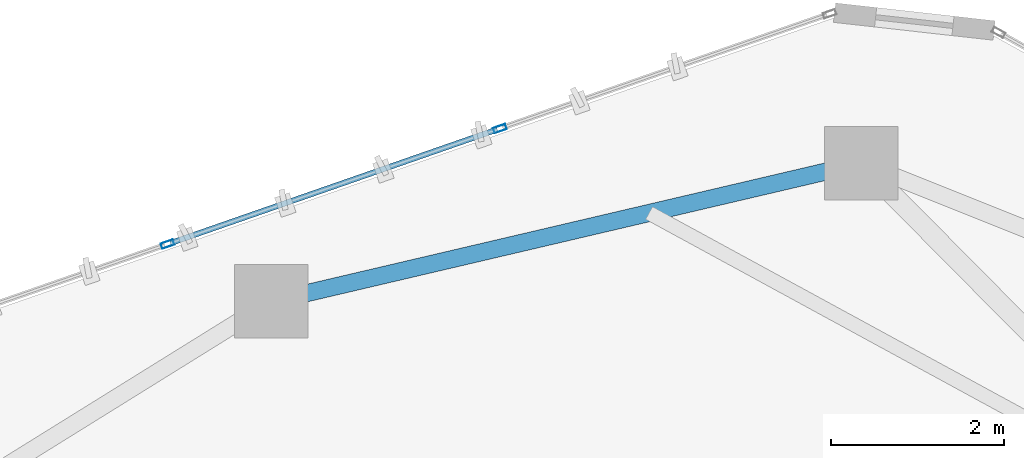
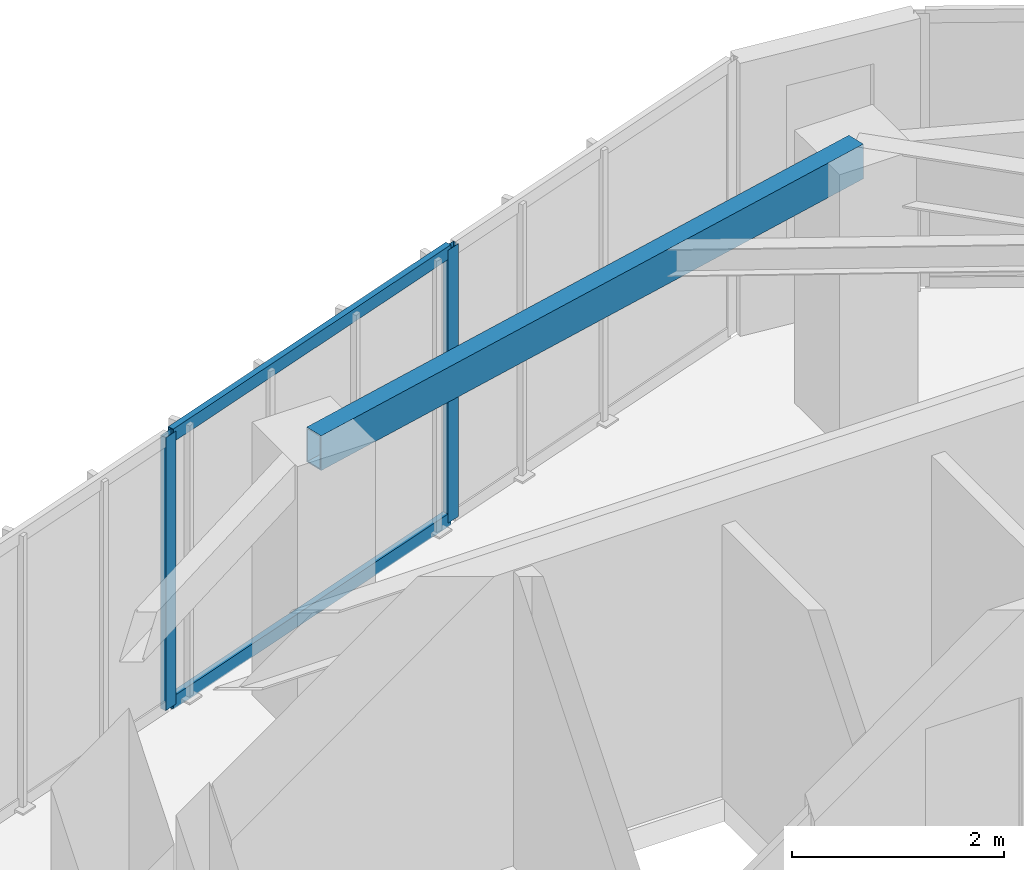
# One storey, part 11 of 20: 4 members, 1 beam, 1 element without a shape of its own.
"""IFC4 building model written with IfcOpenShell, lengths in metres."""

from ifc_helpers import new_model, si_unit, direction, frame, origin, origin_2d, place, context, subcontext, project, spatial, hollow_rectangle, extrude, source, transform, mapped, material, layer, layer_set, material_profile, profile_set, type_object, type_shapes, element, aggregate, save


model = new_model("IFC4")

# Units and contexts
model_context = context("Model", 3, precision=1e-05, world=origin(), true_north=direction((0.0, 1.0)))
body_context = subcontext(model_context, "Body", "Model", "MODEL_VIEW")
ifc_project = project(units=[si_unit("LENGTHUNIT", "METRE"), si_unit("AREAUNIT", "SQUARE_METRE"), si_unit("VOLUMEUNIT", "CUBIC_METRE"), si_unit("PLANEANGLEUNIT", "RADIAN"), si_unit("MASSUNIT", "GRAM", prefix="KILO")], contexts=[model_context])

# Site, building, storey
site_placement = place(None, origin())
site = spatial("IfcSite", under=ifc_project, at=site_placement, CompositionType="ELEMENT")
building_placement = place(site_placement, origin())
building = spatial("IfcBuilding", under=site, at=building_placement, Name="Talar Marvaseh", CompositionType="ELEMENT")
storey_placement = place(building_placement, frame((0.0, 0.0, 285.0)))
storey = spatial("IfcBuildingStorey", under=building, at=storey_placement, Name="L76", CompositionType="ELEMENT", Elevation=285.0)

# Beam
ifc_material_1 = material(Name="Steel S355", Category="steel")
ifc_material_profile_1 = material_profile(ifc_material_1, hollow_rectangle(XDim=0.199951171875, YDim=0.39990234375, WallThickness=0.013916015625, at=origin_2d()), Name="RHS400x200x14")
ifc_profile_set_1 = profile_set([ifc_material_profile_1], Name="Steel S355")
beam_type = type_object("IfcBeamType", Name="Zone 3 Perimeter Spandrel Beam RHS400x200x14", PredefinedType="SPANDREL", material=ifc_profile_set_1)
beam_placement = place(storey_placement, frame((22.364990234375, 39.4541015625, 2.93994140625), z_axis=(0.973655602276, 0.228023613157, 0.0), x_axis=(-0.228023613157, 0.973655602276, 0.0)))
element("IfcBeam", 1, at=beam_placement, inside=storey, type_object=beam_type, Name="L76 Zone 3 Perimeter Spandrel Beam RHS400x200x14", PredefinedType="SPANDREL", context=body_context, shape_type="SweptSolid", body=[
    extrude(hollow_rectangle(XDim=0.199951171875, YDim=0.39990234375, WallThickness=0.013916015625, at=origin_2d()), origin(), (0.0, 0.0, 1.0), 7.007568359375),
])

# Curtain wall, members
ifc_material_2 = material(Name="Architectural Aluminium", Category="aluminium")
ifc_layer = layer(ifc_material_2, 0.179931640625)
ifc_layer_set = layer_set([ifc_layer], Name="Architectural Aluminium")
curtain_wall_type = type_object("IfcCurtainWallType", Name="Unitised High-Wind Sky Curtain Wall Z4", PredefinedType="NOTDEFINED", material=ifc_layer_set)
curtain_wall_placement = place(storey_placement, origin())
curtain_wall = element("IfcCurtainWall", 2, at=curtain_wall_placement, inside=storey, type_object=curtain_wall_type, Name="L76 Unitised High-Wind Sky Curtain Wall Z4", PredefinedType="NOTDEFINED")
ifc_material_profile_2 = material_profile(ifc_material_2, hollow_rectangle(XDim=0.06494140625, YDim=0.14990234375, WallThickness=0.00390625, at=origin_2d()), Name="RHS150x65x4")
ifc_profile_set_2 = profile_set([ifc_material_profile_2], Name="Architectural Aluminium")
member_type_1 = type_object("IfcMemberType", Name="Unitised Curtain Wall Slim Mullion RHS150x65x4", PredefinedType="MULLION", material=ifc_profile_set_2)
shared_shape_1 = source(origin(), body_context, "Body", "SweptSolid", [
    extrude(hollow_rectangle(XDim=0.06494140625, YDim=0.14990234375, WallThickness=0.00390625, at=origin_2d()), origin(), (0.0, 0.0, 1.0), 3.139892578125),
])
type_shapes(member_type_1, [shared_shape_1])
member_1_placement = place(storey_placement, frame((21.164794921875, 40.11669921875, 0.0), z_axis=(0.0, 0.0, 1.0), x_axis=(-0.328568606431, 0.944480106126, 0.0)))
member_1 = element("IfcMember", 3, at=member_1_placement, type_object=member_type_1, Name="CW-Z4 mullion 2", PredefinedType="MULLION", context=body_context, shape_type="MappedRepresentation", body=[
    mapped(shared_shape_1, transform((0.0, 0.0, 0.0), x_axis=(1.0, 0.0, 0.0), y_axis=(0.0, 1.0, 0.0), z_axis=(0.0, 0.0, 1.0), scale=1.0)),
])
member_2_placement = place(storey_placement, frame((25.007568359375, 41.453369140625, 0.0), z_axis=(0.0, 0.0, 1.0), x_axis=(-0.328568606431, 0.944480106126, 0.0)))
member_2 = element("IfcMember", 4, at=member_2_placement, type_object=member_type_1, Name="CW-Z4 mullion 3", PredefinedType="MULLION", context=body_context, shape_type="MappedRepresentation", body=[
    mapped(shared_shape_1, transform((0.0, 0.0, 0.0), x_axis=(1.0, 0.0, 0.0), y_axis=(0.0, 1.0, 0.0), z_axis=(0.0, 0.0, 1.0), scale=1.0)),
])
ifc_material_profile_3 = material_profile(ifc_material_2, hollow_rectangle(XDim=0.06494140625, YDim=0.14990234375, WallThickness=0.00390625, at=origin_2d()), Name="RHS150x65x4")
ifc_profile_set_3 = profile_set([ifc_material_profile_3], Name="Architectural Aluminium")
member_type_2 = type_object("IfcMemberType", Name="Unitised Curtain Wall Slim Transom RHS150x65x4", PredefinedType="USERDEFINED", material=ifc_profile_set_3)
shared_shape_2 = source(origin(), body_context, "Body", "SweptSolid", [
    extrude(hollow_rectangle(XDim=0.06494140625, YDim=0.14990234375, WallThickness=0.00390625, at=origin_2d()), origin(), (0.0, 0.0, 1.0), 4.003662109375),
])
type_shapes(member_type_2, [shared_shape_2])
member_3_placement = place(storey_placement, frame((21.195556640625, 40.127197265625, 0.032470703125), z_axis=(0.944461416542, 0.328622325267, 0.0), x_axis=(-0.328622325267, 0.944461416542, 0.0)))
member_3 = element("IfcMember", 5, at=member_3_placement, type_object=member_type_2, Name="CW-Z4 transom 2.1", ObjectType="TRANSOM", PredefinedType="USERDEFINED", context=body_context, shape_type="MappedRepresentation", body=[
    mapped(shared_shape_2, transform((0.0, 0.0, 0.0), x_axis=(1.0, 0.0, 0.0), y_axis=(0.0, 1.0, 0.0), z_axis=(0.0, 0.0, 1.0), scale=1.0)),
])
member_4_placement = place(storey_placement, frame((21.195556640625, 40.127197265625, 3.107421875), z_axis=(0.944461416542, 0.328622325267, 0.0), x_axis=(-0.328622325267, 0.944461416542, 0.0)))
member_4 = element("IfcMember", 6, at=member_4_placement, type_object=member_type_2, Name="CW-Z4 transom 2.2", ObjectType="TRANSOM", PredefinedType="USERDEFINED", context=body_context, shape_type="MappedRepresentation", body=[
    mapped(shared_shape_2, transform((0.0, 0.0, 0.0), x_axis=(1.0, 0.0, 0.0), y_axis=(0.0, 1.0, 0.0), z_axis=(0.0, 0.0, 1.0), scale=1.0)),
])
aggregate(curtain_wall, [member_1, member_2, member_3, member_4])

save(model, "model.ifc")
